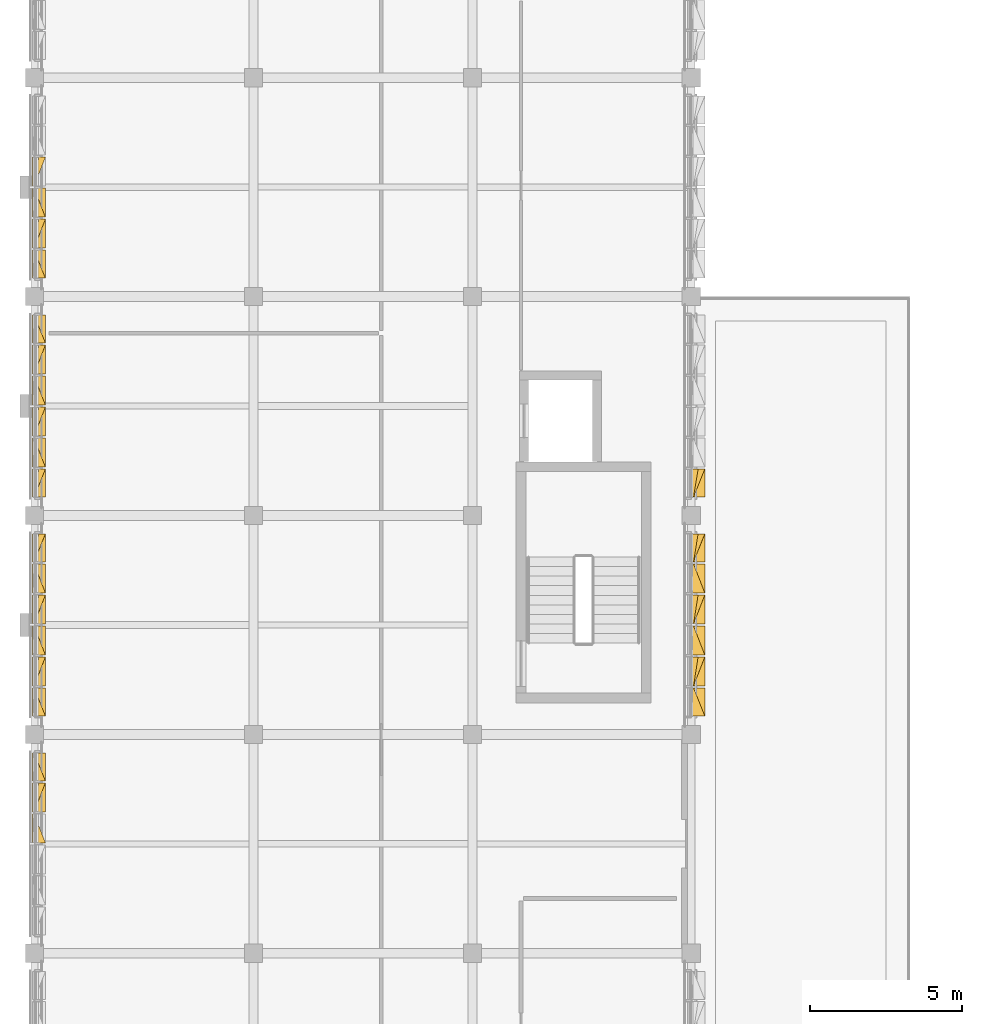
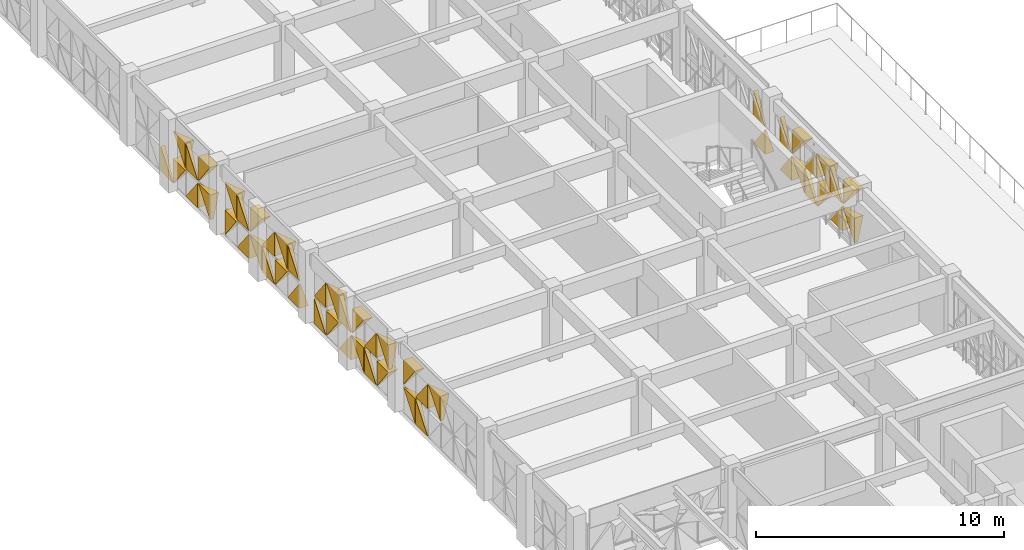
# One storey, part 96 of 99: 50 coverings.
"""IFC4 building model written with IfcOpenShell, lengths in metres."""

import ifcopenshell
import ifcopenshell.guid

model = None  # the IFC model being written
_history = None  # IfcOwnerHistory: only IFC2X3 demands one
_inside = {}  # id of a spatial element -> (the spatial element, [elements in it])
_under = {}  # id of a project, library or spatial element -> (it, [spatial elements below it])
_declared = {}  # id of a project -> (the project, [libraries it declares])
_typed = {}  # id of a type object -> (the type object, [elements of that type])
_made_of = {}  # id of a material, layer set ... -> (it, [elements and type objects made of it])


def new_model(schema):
    """Start an empty IFC model of exactly this schema.

    Asked for "IFC4X3", IfcOpenShell would pick the latest addendum, in which some entities
    have other attributes; the version numbers below select the first issue.
    IFC2X3 requires an IfcOwnerHistory on every rooted entity: one is made here for all.
    """
    global model, _history
    if schema == "IFC4X3":
        model = ifcopenshell.file(schema_version=(4, 3, 0, 0))
    else:
        model = ifcopenshell.file(schema=schema)
    _inside.clear()
    _under.clear()
    _declared.clear()
    _typed.clear()
    _made_of.clear()
    _history = None
    if model.schema == "IFC2X3":
        org = make("IfcOrganization", Name="unknown")
        user = make(
            "IfcPersonAndOrganization",
            ThePerson=make("IfcPerson", FamilyName="unknown"),
            TheOrganization=org,
        )
        app = make(
            "IfcApplication",
            ApplicationDeveloper=org,
            Version="unknown",
            ApplicationFullName="unknown",
            ApplicationIdentifier="unknown",
        )
        _history = make(
            "IfcOwnerHistory",
            OwningUser=user,
            OwningApplication=app,
            ChangeAction="ADDED",
            CreationDate=0,
        )
    return model


def make(cls, **values):
    """One entity of the class cls with the attributes given. An attribute that is None is left unset."""
    return model.create_entity(
        cls, **{name: value for name, value in values.items() if value is not None}
    )


def rooted(cls, **values):
    """An entity with a GlobalId (a new one), such as an element, a storey or a relation."""
    return make(cls, GlobalId=ifcopenshell.guid.new(), OwnerHistory=_history, **values)


def si_unit(unit_type, name, prefix=None):
    """IfcSIUnit, for example si_unit("LENGTHUNIT", "METRE", prefix="MILLI")."""
    return make("IfcSIUnit", UnitType=unit_type, Prefix=prefix, Name=name)


def assignment(units):
    """IfcUnitAssignment: the units of a project."""
    return None if units is None else make("IfcUnitAssignment", Units=units)


def point(xyz):
    """IfcCartesianPoint."""
    return None if xyz is None else make("IfcCartesianPoint", Coordinates=xyz)


def direction(xyz):
    """IfcDirection."""
    return None if xyz is None else make("IfcDirection", DirectionRatios=xyz)


def frame(location, z_axis=None, x_axis=None):
    """IfcAxis2Placement3D, a coordinate frame: its origin and axes. An axis left out is left unset."""
    return make(
        "IfcAxis2Placement3D",
        Location=point(location),
        Axis=direction(z_axis),
        RefDirection=direction(x_axis),
    )


def origin():
    """The frame at (0, 0, 0) with its axes left unset."""
    return frame((0.0, 0.0, 0.0))


def place(relative_to, where):
    """IfcLocalPlacement: puts the frame where relative to a parent placement (None: the world)."""
    return make(
        "IfcLocalPlacement", PlacementRelTo=relative_to, RelativePlacement=where
    )


def context(
    kind, dimensions, precision=None, world=None, true_north=None, identifier=None
):
    """IfcGeometricRepresentationContext, for example the 3D "Model" context."""
    return make(
        "IfcGeometricRepresentationContext",
        ContextIdentifier=identifier,
        ContextType=kind,
        CoordinateSpaceDimension=dimensions,
        Precision=precision,
        WorldCoordinateSystem=world,
        TrueNorth=true_north,
    )


def subcontext(parent, identifier, kind, view, scale=None):
    """IfcGeometricRepresentationSubContext, for example "Body" below "Model"."""
    return make(
        "IfcGeometricRepresentationSubContext",
        ContextIdentifier=identifier,
        ContextType=kind,
        ParentContext=parent,
        TargetScale=scale,
        TargetView=view,
    )


def project(units=None, contexts=None):
    """IfcProject with its units and contexts."""
    return rooted(
        "IfcProject",
        Name="project",
        RepresentationContexts=contexts,
        UnitsInContext=assignment(units),
    )


def spatial(cls, under=None, at=None, **own):
    """A site, building, storey or space (cls), placed at a placement, below another one or the project."""
    s = rooted(cls, ObjectPlacement=at, **own)
    if under is not None:
        _under.setdefault(under.id(), (under, []))[1].append(s)
    return s


def point_list(points):
    """IfcCartesianPointList2D or 3D."""
    cls = (
        "IfcCartesianPointList2D" if len(points[0]) == 2 else "IfcCartesianPointList3D"
    )
    return make(cls, CoordList=points)


def polygons(points, faces, closed=None, point_numbers=None):
    """IfcPolygonalFaceSet: a face is its outer loop, then its inner loops; points numbered from 1."""
    made = []
    for loops in faces:
        if len(loops) == 1:
            made.append(make("IfcIndexedPolygonalFace", CoordIndex=loops[0]))
        else:
            made.append(
                make(
                    "IfcIndexedPolygonalFaceWithVoids",
                    CoordIndex=loops[0],
                    InnerCoordIndices=loops[1:],
                )
            )
    return make(
        "IfcPolygonalFaceSet",
        Coordinates=point_list(points),
        Closed=closed,
        Faces=made,
        PnIndex=point_numbers,
    )


def shape(context_of_items, identifier, shape_type, items):
    """IfcShapeRepresentation: the items that make up one representation, for example the "Body"."""
    return make(
        "IfcShapeRepresentation",
        ContextOfItems=context_of_items,
        RepresentationIdentifier=identifier,
        RepresentationType=shape_type,
        Items=items,
    )


def material(Name=None, Category=None):
    """IfcMaterial."""
    return make("IfcMaterial", Name=Name, Category=Category)


def layer(
    of_material, thickness, ventilated=None, Name=None, Category=None, Priority=None
):
    """IfcMaterialLayer: one layer of a wall or slab, of a material (None: an air gap)."""
    return make(
        "IfcMaterialLayer",
        Material=of_material,
        LayerThickness=thickness,
        IsVentilated=ventilated,
        Name=Name,
        Category=Category,
        Priority=Priority,
    )


def layer_set(layers, Name=None):
    """IfcMaterialLayerSet."""
    return make("IfcMaterialLayerSet", MaterialLayers=layers, LayerSetName=Name)


def made_of(thing, what):
    """Note that an element or type object is made of a material, layer set ...; save() writes the relation."""
    if what is not None:
        _made_of.setdefault(what.id(), (what, []))[1].append(thing)
    return thing


def type_object(cls, material=None, **own):
    """A type object (cls), such as IfcWallType, which elements share."""
    return made_of(rooted(cls, **own), material)


def element(
    cls,
    number,
    at=None,
    inside=None,
    cuts=None,
    type_object=None,
    material=None,
    context=None,
    identifier="Body",
    shape_type=None,
    held_by="IfcProductDefinitionShape",
    body=None,
    shapes=None,
    **own,
):
    """One element of the class cls, such as IfcWall. Its Tag is "e" and its number.

    at: its placement. inside: the storey or other place that contains it. cuts: it is an
    opening in that element (IfcRelVoidsElement). A single representation is given by context,
    identifier, shape_type and body (its items); several are given by shapes. held_by: the class
    of the entity that holds the representations. save() writes the other relations.
    """
    e = rooted(cls, Tag="e%d" % number, ObjectPlacement=at, **own)
    if body is not None:
        shapes = [shape(context, identifier, shape_type, body)]
    if shapes is not None:
        e.Representation = make(held_by, Representations=shapes)
    if inside is not None:
        _inside.setdefault(inside.id(), (inside, []))[1].append(e)
    if cuts is not None:
        rooted(
            "IfcRelVoidsElement", RelatingBuildingElement=cuts, RelatedOpeningElement=e
        )
    if type_object is not None:
        _typed.setdefault(type_object.id(), (type_object, []))[1].append(e)
    return made_of(e, material)


def aggregate(whole, parts):
    """IfcRelAggregates: a whole, such as a stair, and the parts it consists of."""
    return rooted("IfcRelAggregates", RelatingObject=whole, RelatedObjects=parts)


def save(model, path):
    """Write the relations noted so far, then the file.

    IfcRelAggregates (storeys below a building ...), IfcRelContainedInSpatialStructure (elements
    in a storey), IfcRelDefinesByType, IfcRelAssociatesMaterial and IfcRelDeclares: one each for
    every whole, place, type object, material and project.
    """
    for whole, parts in _under.values():
        aggregate(whole, parts)
    for where, things in _inside.values():
        rooted(
            "IfcRelContainedInSpatialStructure",
            RelatedElements=things,
            RelatingStructure=where,
        )
    for kind, things in _typed.values():
        rooted("IfcRelDefinesByType", RelatedObjects=things, RelatingType=kind)
    for what, things in _made_of.values():
        rooted("IfcRelAssociatesMaterial", RelatedObjects=things, RelatingMaterial=what)
    for by, libraries in _declared.values():
        rooted("IfcRelDeclares", RelatingContext=by, RelatedDefinitions=libraries)
    model.write(path)


model = new_model("IFC4")

# Units and contexts
model_context = context("Model", 3, precision=1e-05, world=origin(), true_north=direction((0.0, 1.0)))
body_context = subcontext(model_context, "Body", "Model", "MODEL_VIEW")
ifc_project = project(units=[si_unit("LENGTHUNIT", "METRE"), si_unit("AREAUNIT", "SQUARE_METRE"), si_unit("VOLUMEUNIT", "CUBIC_METRE"), si_unit("PLANEANGLEUNIT", "RADIAN"), si_unit("MASSUNIT", "GRAM", prefix="KILO")], contexts=[model_context])

# Site, building, storey
site_placement = place(None, origin())
site = spatial("IfcSite", under=ifc_project, at=site_placement, CompositionType="ELEMENT")
building_placement = place(site_placement, origin())
building = spatial("IfcBuilding", under=site, at=building_placement, Name="Alvorim Cloister Faculty of Sciences", CompositionType="ELEMENT")
storey_placement = place(building_placement, frame((0.0, 0.0, 12.14990234375)))
storey = spatial("IfcBuildingStorey", under=building, at=storey_placement, Name="L03", CompositionType="ELEMENT", Elevation=12.14990234375)

# Coverings
ifc_material = material(Name="Perforated Bronze Alloy Sheet", Category="metal")
ifc_layer = layer(ifc_material, 0.0380859375)
ifc_layer_set = layer_set([ifc_layer], Name="Perforated Bronze Alloy Sheet")
covering_type = type_object("IfcCoveringType", Name="COV-TRI-BRZ", PredefinedType="CLADDING", material=ifc_layer_set)
covering_1_placement = place(storey_placement, frame((-0.044921875, 67.232421875, 1.4951171875), z_axis=(0.0, 0.0, 1.0), x_axis=(0.0, 1.0, 0.0)))
element("IfcCovering", 1, at=covering_1_placement, inside=storey, type_object=covering_type, Name="Diagonal Solid Metal Triangle TRI-TL", PredefinedType="CLADDING", context=body_context, shape_type="Tessellation", body=[
    polygons([(0.953078125, 0.0260009765625, 1.215087890625), (0.0, 0.0260009765625, 1.215087890625), (0.0, 0.0260009765625, 0.002), (0.953078125, -0.03, 1.215087890625), (0.0, -0.4, 1.215087890625), (0.0, -0.13999999999999999, 0.002)], [[[1, 3, 2]], [[4, 5, 6]], [[1, 2, 5, 4]], [[2, 3, 6, 5]], [[3, 1, 4, 6]]], closed=True),
])
covering_2_placement = place(storey_placement, frame((-0.044921875, 68.25244140625, 0.14013671875), z_axis=(0.0, 0.0, 1.0), x_axis=(0.0, 1.0, 0.0)))
element("IfcCovering", 2, at=covering_2_placement, inside=storey, type_object=covering_type, Name="Diagonal Solid Metal Triangle TRI-BR", PredefinedType="CLADDING", context=body_context, shape_type="Tessellation", body=[
    polygons([(0.002, 0.0260009765625, 0.0), (0.955078125, 0.0260009765625, 0.0), (0.955078125, 0.0260009765625, 1.21284375), (0.002, -0.03, 0.0), (0.955078125, -0.4, 0.0), (0.955078125, -0.18000000000000002, 1.21284375)], [[[1, 3, 2]], [[4, 5, 6]], [[1, 2, 5, 4]], [[2, 3, 6, 5]], [[3, 1, 4, 6]]], closed=True),
])
covering_3_placement = place(storey_placement, frame((-0.044921875, 68.25244140625, 1.4951171875), z_axis=(0.0, 0.0, 1.0), x_axis=(0.0, 1.0, 0.0)))
element("IfcCovering", 3, at=covering_3_placement, inside=storey, type_object=covering_type, Name="Diagonal Solid Metal Triangle TRI-BL", PredefinedType="CLADDING", context=body_context, shape_type="Tessellation", body=[
    polygons([(0.0, 0.0260009765625, 0.0), (0.953078125, 0.0260009765625, 0.0), (0.0, 0.0260009765625, 1.213087890625), (0.0, -0.4, 0.0), (0.953078125, -0.4, 0.0), (0.0, -0.03, 1.213087890625)], [[[1, 3, 2]], [[4, 5, 6]], [[1, 2, 5, 4]], [[2, 3, 6, 5]], [[3, 1, 4, 6]]], closed=True),
])
covering_4_placement = place(storey_placement, frame((-0.044921875, 69.2724609375, 0.14013671875), z_axis=(0.0, 0.0, 1.0), x_axis=(0.0, 1.0, 0.0)))
element("IfcCovering", 4, at=covering_4_placement, inside=storey, type_object=covering_type, Name="Diagonal Solid Metal Triangle TRI-TL", PredefinedType="CLADDING", context=body_context, shape_type="Tessellation", body=[
    polygons([(0.920607421875, 0.0260009765625, 1.21484375), (0.0, 0.0260009765625, 1.21484375), (0.0, 0.0260009765625, 0.002), (0.920607421875, -0.03, 1.21484375), (0.0, -0.4, 1.21484375), (0.0, -0.13999999999999999, 0.002)], [[[1, 3, 2]], [[4, 5, 6]], [[1, 2, 5, 4]], [[2, 3, 6, 5]], [[3, 1, 4, 6]]], closed=True),
])
covering_5_placement = place(storey_placement, frame((-0.044921875, 69.2724609375, 1.4951171875), z_axis=(0.0, 0.0, 1.0), x_axis=(0.0, 1.0, 0.0)))
element("IfcCovering", 5, at=covering_5_placement, inside=storey, type_object=covering_type, Name="Diagonal Solid Metal Triangle TRI-TR", PredefinedType="CLADDING", context=body_context, shape_type="Tessellation", body=[
    polygons([(0.922607421875, 0.0260009765625, 0.002), (0.922607421875, 0.0260009765625, 1.215087890625), (0.002, 0.0260009765625, 1.215087890625), (0.922607421875, -0.03, 0.002), (0.922607421875, -0.4, 1.215087890625), (0.002, -0.4, 1.215087890625)], [[[1, 3, 2]], [[4, 5, 6]], [[1, 2, 5, 4]], [[2, 3, 6, 5]], [[3, 1, 4, 6]]], closed=True),
])
covering_6_placement = place(storey_placement, frame((-0.044921875, 71.405029296875, 0.14013671875), z_axis=(0.0, 0.0, 1.0), x_axis=(0.0, 1.0, 0.0)))
element("IfcCovering", 6, at=covering_6_placement, inside=storey, type_object=covering_type, Name="Diagonal Solid Metal Triangle TRI-TR", PredefinedType="CLADDING", context=body_context, shape_type="Tessellation", body=[
    polygons([(0.922607421875, 0.0260009765625, 0.002), (0.922607421875, 0.0260009765625, 1.21484375), (0.002, 0.0260009765625, 1.21484375), (0.922607421875, -0.03, 0.002), (0.922607421875, -0.4, 1.21484375), (0.002, -0.4, 1.21484375)], [[[1, 3, 2]], [[4, 5, 6]], [[1, 2, 5, 4]], [[2, 3, 6, 5]], [[3, 1, 4, 6]]], closed=True),
])
covering_7_placement = place(storey_placement, frame((-0.044921875, 71.405029296875, 1.4951171875), z_axis=(0.0, 0.0, 1.0), x_axis=(0.0, 1.0, 0.0)))
element("IfcCovering", 7, at=covering_7_placement, inside=storey, type_object=covering_type, Name="Diagonal Solid Metal Triangle TRI-TL", PredefinedType="CLADDING", context=body_context, shape_type="Tessellation", body=[
    polygons([(0.920607421875, 0.0260009765625, 1.215087890625), (0.0, 0.0260009765625, 1.215087890625), (0.0, 0.0260009765625, 0.002), (0.920607421875, -0.03, 1.215087890625), (0.0, -0.4, 1.215087890625), (0.0, -0.13999999999999999, 0.002)], [[[1, 3, 2]], [[4, 5, 6]], [[1, 2, 5, 4]], [[2, 3, 6, 5]], [[3, 1, 4, 6]]], closed=True),
])
covering_8_placement = place(storey_placement, frame((-0.044921875, 72.392578125, 0.14013671875), z_axis=(0.0, 0.0, 1.0), x_axis=(0.0, 1.0, 0.0)))
element("IfcCovering", 8, at=covering_8_placement, inside=storey, type_object=covering_type, Name="Diagonal Solid Metal Triangle TRI-BR", PredefinedType="CLADDING", context=body_context, shape_type="Tessellation", body=[
    polygons([(0.002, 0.0260009765625, 0.0), (0.955078125, 0.0260009765625, 0.0), (0.955078125, 0.0260009765625, 1.21284375), (0.002, -0.03, 0.0), (0.955078125, -0.4, 0.0), (0.955078125, -0.18000000000000002, 1.21284375)], [[[1, 3, 2]], [[4, 5, 6]], [[1, 2, 5, 4]], [[2, 3, 6, 5]], [[3, 1, 4, 6]]], closed=True),
])
covering_9_placement = place(storey_placement, frame((-0.044921875, 72.392578125, 1.4951171875), z_axis=(0.0, 0.0, 1.0), x_axis=(0.0, 1.0, 0.0)))
element("IfcCovering", 9, at=covering_9_placement, inside=storey, type_object=covering_type, Name="Diagonal Solid Metal Triangle TRI-BL", PredefinedType="CLADDING", context=body_context, shape_type="Tessellation", body=[
    polygons([(0.0, 0.0260009765625, 0.0), (0.953078125, 0.0260009765625, 0.0), (0.0, 0.0260009765625, 1.213087890625), (0.0, -0.4, 0.0), (0.953078125, -0.4, 0.0), (0.0, -0.03, 1.213087890625)], [[[1, 3, 2]], [[4, 5, 6]], [[1, 2, 5, 4]], [[2, 3, 6, 5]], [[3, 1, 4, 6]]], closed=True),
])
covering_10_placement = place(storey_placement, frame((-0.044921875, 73.41259765625, 0.14013671875), z_axis=(0.0, 0.0, 1.0), x_axis=(0.0, 1.0, 0.0)))
element("IfcCovering", 10, at=covering_10_placement, inside=storey, type_object=covering_type, Name="Diagonal Solid Metal Triangle TRI-TL", PredefinedType="CLADDING", context=body_context, shape_type="Tessellation", body=[
    polygons([(0.953078125, 0.0260009765625, 1.21484375), (0.0, 0.0260009765625, 1.21484375), (0.0, 0.0260009765625, 0.002), (0.953078125, -0.03, 1.21484375), (0.0, -0.4, 1.21484375), (0.0, -0.13999999999999999, 0.002)], [[[1, 3, 2]], [[4, 5, 6]], [[1, 2, 5, 4]], [[2, 3, 6, 5]], [[3, 1, 4, 6]]], closed=True),
])
covering_11_placement = place(storey_placement, frame((-0.044921875, 73.41259765625, 1.4951171875), z_axis=(0.0, 0.0, 1.0), x_axis=(0.0, 1.0, 0.0)))
element("IfcCovering", 11, at=covering_11_placement, inside=storey, type_object=covering_type, Name="Diagonal Solid Metal Triangle TRI-TR", PredefinedType="CLADDING", context=body_context, shape_type="Tessellation", body=[
    polygons([(0.955078125, 0.0260009765625, 0.002), (0.955078125, 0.0260009765625, 1.215087890625), (0.002, 0.0260009765625, 1.215087890625), (0.955078125, -0.03, 0.002), (0.955078125, -0.4, 1.215087890625), (0.002, -0.4, 1.215087890625)], [[[1, 3, 2]], [[4, 5, 6]], [[1, 2, 5, 4]], [[2, 3, 6, 5]], [[3, 1, 4, 6]]], closed=True),
])
covering_12_placement = place(storey_placement, frame((-0.044921875, 74.4326171875, 0.14013671875), z_axis=(0.0, 0.0, 1.0), x_axis=(0.0, 1.0, 0.0)))
element("IfcCovering", 12, at=covering_12_placement, inside=storey, type_object=covering_type, Name="Diagonal Solid Metal Triangle TRI-BL", PredefinedType="CLADDING", context=body_context, shape_type="Tessellation", body=[
    polygons([(0.0, 0.0260009765625, 0.0), (0.953078125, 0.0260009765625, 0.0), (0.0, 0.0260009765625, 1.21284375), (0.0, -0.4, 0.0), (0.953078125, -0.4, 0.0), (0.0, -0.03, 1.21284375)], [[[1, 3, 2]], [[4, 5, 6]], [[1, 2, 5, 4]], [[2, 3, 6, 5]], [[3, 1, 4, 6]]], closed=True),
])
covering_13_placement = place(storey_placement, frame((-0.044921875, 74.4326171875, 1.4951171875), z_axis=(0.0, 0.0, 1.0), x_axis=(0.0, 1.0, 0.0)))
element("IfcCovering", 13, at=covering_13_placement, inside=storey, type_object=covering_type, Name="Diagonal Solid Metal Triangle TRI-BR", PredefinedType="CLADDING", context=body_context, shape_type="Tessellation", body=[
    polygons([(0.002, 0.0260009765625, 0.0), (0.955078125, 0.0260009765625, 0.0), (0.955078125, 0.0260009765625, 1.213087890625), (0.002, -0.03, 0.0), (0.955078125, -0.4, 0.0), (0.955078125, -0.18000000000000002, 1.213087890625)], [[[1, 3, 2]], [[4, 5, 6]], [[1, 2, 5, 4]], [[2, 3, 6, 5]], [[3, 1, 4, 6]]], closed=True),
])
covering_14_placement = place(storey_placement, frame((-0.044921875, 75.452392578125, 0.14013671875), z_axis=(0.0, 0.0, 1.0), x_axis=(0.0, 1.0, 0.0)))
element("IfcCovering", 14, at=covering_14_placement, inside=storey, type_object=covering_type, Name="Diagonal Solid Metal Triangle TRI-TR", PredefinedType="CLADDING", context=body_context, shape_type="Tessellation", body=[
    polygons([(0.955078125, 0.0260009765625, 0.002), (0.955078125, 0.0260009765625, 1.21484375), (0.002, 0.0260009765625, 1.21484375), (0.955078125, -0.03, 0.002), (0.955078125, -0.4, 1.21484375), (0.002, -0.4, 1.21484375)], [[[1, 3, 2]], [[4, 5, 6]], [[1, 2, 5, 4]], [[2, 3, 6, 5]], [[3, 1, 4, 6]]], closed=True),
])
covering_15_placement = place(storey_placement, frame((-0.044921875, 75.452392578125, 1.4951171875), z_axis=(0.0, 0.0, 1.0), x_axis=(0.0, 1.0, 0.0)))
element("IfcCovering", 15, at=covering_15_placement, inside=storey, type_object=covering_type, Name="Diagonal Solid Metal Triangle TRI-TL", PredefinedType="CLADDING", context=body_context, shape_type="Tessellation", body=[
    polygons([(0.953078125, 0.0260009765625, 1.215087890625), (0.0, 0.0260009765625, 1.215087890625), (0.0, 0.0260009765625, 0.002), (0.953078125, -0.03, 1.215087890625), (0.0, -0.4, 1.215087890625), (0.0, -0.13999999999999999, 0.002)], [[[1, 3, 2]], [[4, 5, 6]], [[1, 2, 5, 4]], [[2, 3, 6, 5]], [[3, 1, 4, 6]]], closed=True),
])
covering_16_placement = place(storey_placement, frame((-0.044921875, 76.472412109375, 0.14013671875), z_axis=(0.0, 0.0, 1.0), x_axis=(0.0, 1.0, 0.0)))
element("IfcCovering", 16, at=covering_16_placement, inside=storey, type_object=covering_type, Name="Diagonal Solid Metal Triangle TRI-BR", PredefinedType="CLADDING", context=body_context, shape_type="Tessellation", body=[
    polygons([(0.002, 0.0260009765625, 0.0), (0.922607421875, 0.0260009765625, 0.0), (0.922607421875, 0.0260009765625, 1.21284375), (0.002, -0.03, 0.0), (0.922607421875, -0.4, 0.0), (0.922607421875, -0.18000000000000002, 1.21284375)], [[[1, 3, 2]], [[4, 5, 6]], [[1, 2, 5, 4]], [[2, 3, 6, 5]], [[3, 1, 4, 6]]], closed=True),
])
covering_17_placement = place(storey_placement, frame((-0.044921875, 76.472412109375, 1.4951171875), z_axis=(0.0, 0.0, 1.0), x_axis=(0.0, 1.0, 0.0)))
element("IfcCovering", 17, at=covering_17_placement, inside=storey, type_object=covering_type, Name="Diagonal Solid Metal Triangle TRI-BL", PredefinedType="CLADDING", context=body_context, shape_type="Tessellation", body=[
    polygons([(0.0, 0.0260009765625, 0.0), (0.920607421875, 0.0260009765625, 0.0), (0.0, 0.0260009765625, 1.213087890625), (0.0, -0.4, 0.0), (0.920607421875, -0.4, 0.0), (0.0, -0.03, 1.213087890625)], [[[1, 3, 2]], [[4, 5, 6]], [[1, 2, 5, 4]], [[2, 3, 6, 5]], [[3, 1, 4, 6]]], closed=True),
])
covering_18_placement = place(storey_placement, frame((-0.044921875, 78.60498046875, 0.14013671875), z_axis=(0.0, 0.0, 1.0), x_axis=(0.0, 1.0, 0.0)))
element("IfcCovering", 18, at=covering_18_placement, inside=storey, type_object=covering_type, Name="Diagonal Solid Metal Triangle TRI-BL", PredefinedType="CLADDING", context=body_context, shape_type="Tessellation", body=[
    polygons([(0.0, 0.0260009765625, 0.0), (0.920607421875, 0.0260009765625, 0.0), (0.0, 0.0260009765625, 1.21284375), (0.0, -0.4, 0.0), (0.920607421875, -0.4, 0.0), (0.0, -0.03, 1.21284375)], [[[1, 3, 2]], [[4, 5, 6]], [[1, 2, 5, 4]], [[2, 3, 6, 5]], [[3, 1, 4, 6]]], closed=True),
])
covering_19_placement = place(storey_placement, frame((-0.044921875, 78.60498046875, 1.4951171875), z_axis=(0.0, 0.0, 1.0), x_axis=(0.0, 1.0, 0.0)))
element("IfcCovering", 19, at=covering_19_placement, inside=storey, type_object=covering_type, Name="Diagonal Solid Metal Triangle TRI-BR", PredefinedType="CLADDING", context=body_context, shape_type="Tessellation", body=[
    polygons([(0.002, 0.0260009765625, 0.0), (0.922607421875, 0.0260009765625, 0.0), (0.922607421875, 0.0260009765625, 1.213087890625), (0.002, -0.03, 0.0), (0.922607421875, -0.4, 0.0), (0.922607421875, -0.18000000000000002, 1.213087890625)], [[[1, 3, 2]], [[4, 5, 6]], [[1, 2, 5, 4]], [[2, 3, 6, 5]], [[3, 1, 4, 6]]], closed=True),
])
covering_20_placement = place(storey_placement, frame((-0.044921875, 79.592529296875, 0.14013671875), z_axis=(0.0, 0.0, 1.0), x_axis=(0.0, 1.0, 0.0)))
element("IfcCovering", 20, at=covering_20_placement, inside=storey, type_object=covering_type, Name="Diagonal Solid Metal Triangle TRI-TR", PredefinedType="CLADDING", context=body_context, shape_type="Tessellation", body=[
    polygons([(0.955078125, 0.0260009765625, 0.002), (0.955078125, 0.0260009765625, 1.21484375), (0.002, 0.0260009765625, 1.21484375), (0.955078125, -0.03, 0.002), (0.955078125, -0.4, 1.21484375), (0.002, -0.4, 1.21484375)], [[[1, 3, 2]], [[4, 5, 6]], [[1, 2, 5, 4]], [[2, 3, 6, 5]], [[3, 1, 4, 6]]], closed=True),
])
covering_21_placement = place(storey_placement, frame((-0.044921875, 79.592529296875, 1.4951171875), z_axis=(0.0, 0.0, 1.0), x_axis=(0.0, 1.0, 0.0)))
element("IfcCovering", 21, at=covering_21_placement, inside=storey, type_object=covering_type, Name="Diagonal Solid Metal Triangle TRI-TL", PredefinedType="CLADDING", context=body_context, shape_type="Tessellation", body=[
    polygons([(0.953078125, 0.0260009765625, 1.215087890625), (0.0, 0.0260009765625, 1.215087890625), (0.0, 0.0260009765625, 0.002), (0.953078125, -0.03, 1.215087890625), (0.0, -0.4, 1.215087890625), (0.0, -0.13999999999999999, 0.002)], [[[1, 3, 2]], [[4, 5, 6]], [[1, 2, 5, 4]], [[2, 3, 6, 5]], [[3, 1, 4, 6]]], closed=True),
])
covering_22_placement = place(storey_placement, frame((-0.044921875, 80.612548828125, 0.14013671875), z_axis=(0.0, 0.0, 1.0), x_axis=(0.0, 1.0, 0.0)))
element("IfcCovering", 22, at=covering_22_placement, inside=storey, type_object=covering_type, Name="Diagonal Solid Metal Triangle TRI-BR", PredefinedType="CLADDING", context=body_context, shape_type="Tessellation", body=[
    polygons([(0.002, 0.0260009765625, 0.0), (0.955078125, 0.0260009765625, 0.0), (0.955078125, 0.0260009765625, 1.21284375), (0.002, -0.03, 0.0), (0.955078125, -0.4, 0.0), (0.955078125, -0.18000000000000002, 1.21284375)], [[[1, 3, 2]], [[4, 5, 6]], [[1, 2, 5, 4]], [[2, 3, 6, 5]], [[3, 1, 4, 6]]], closed=True),
])
covering_23_placement = place(storey_placement, frame((-0.044921875, 80.612548828125, 1.4951171875), z_axis=(0.0, 0.0, 1.0), x_axis=(0.0, 1.0, 0.0)))
element("IfcCovering", 23, at=covering_23_placement, inside=storey, type_object=covering_type, Name="Diagonal Solid Metal Triangle TRI-BL", PredefinedType="CLADDING", context=body_context, shape_type="Tessellation", body=[
    polygons([(0.0, 0.0260009765625, 0.0), (0.953078125, 0.0260009765625, 0.0), (0.0, 0.0260009765625, 1.213087890625), (0.0, -0.4, 0.0), (0.953078125, -0.4, 0.0), (0.0, -0.03, 1.213087890625)], [[[1, 3, 2]], [[4, 5, 6]], [[1, 2, 5, 4]], [[2, 3, 6, 5]], [[3, 1, 4, 6]]], closed=True),
])
covering_24_placement = place(storey_placement, frame((-0.044921875, 81.632568359375, 0.14013671875), z_axis=(0.0, 0.0, 1.0), x_axis=(0.0, 1.0, 0.0)))
element("IfcCovering", 24, at=covering_24_placement, inside=storey, type_object=covering_type, Name="Diagonal Solid Metal Triangle TRI-TL", PredefinedType="CLADDING", context=body_context, shape_type="Tessellation", body=[
    polygons([(0.953078125, 0.0260009765625, 1.21484375), (0.0, 0.0260009765625, 1.21484375), (0.0, 0.0260009765625, 0.002), (0.953078125, -0.03, 1.21484375), (0.0, -0.4, 1.21484375), (0.0, -0.13999999999999999, 0.002)], [[[1, 3, 2]], [[4, 5, 6]], [[1, 2, 5, 4]], [[2, 3, 6, 5]], [[3, 1, 4, 6]]], closed=True),
])
covering_25_placement = place(storey_placement, frame((-0.044921875, 81.632568359375, 1.4951171875), z_axis=(0.0, 0.0, 1.0), x_axis=(0.0, 1.0, 0.0)))
element("IfcCovering", 25, at=covering_25_placement, inside=storey, type_object=covering_type, Name="Diagonal Solid Metal Triangle TRI-TR", PredefinedType="CLADDING", context=body_context, shape_type="Tessellation", body=[
    polygons([(0.955078125, 0.0260009765625, 0.002), (0.955078125, 0.0260009765625, 1.215087890625), (0.002, 0.0260009765625, 1.215087890625), (0.955078125, -0.03, 0.002), (0.955078125, -0.4, 1.215087890625), (0.002, -0.4, 1.215087890625)], [[[1, 3, 2]], [[4, 5, 6]], [[1, 2, 5, 4]], [[2, 3, 6, 5]], [[3, 1, 4, 6]]], closed=True),
])
covering_26_placement = place(storey_placement, frame((-0.044921875, 82.652587890625, 0.14013671875), z_axis=(0.0, 0.0, 1.0), x_axis=(0.0, 1.0, 0.0)))
element("IfcCovering", 26, at=covering_26_placement, inside=storey, type_object=covering_type, Name="Diagonal Solid Metal Triangle TRI-BL", PredefinedType="CLADDING", context=body_context, shape_type="Tessellation", body=[
    polygons([(0.0, 0.0260009765625, 0.0), (0.953078125, 0.0260009765625, 0.0), (0.0, 0.0260009765625, 1.21284375), (0.0, -0.4, 0.0), (0.953078125, -0.4, 0.0), (0.0, -0.03, 1.21284375)], [[[1, 3, 2]], [[4, 5, 6]], [[1, 2, 5, 4]], [[2, 3, 6, 5]], [[3, 1, 4, 6]]], closed=True),
])
covering_27_placement = place(storey_placement, frame((-0.044921875, 82.652587890625, 1.4951171875), z_axis=(0.0, 0.0, 1.0), x_axis=(0.0, 1.0, 0.0)))
element("IfcCovering", 27, at=covering_27_placement, inside=storey, type_object=covering_type, Name="Diagonal Solid Metal Triangle TRI-BR", PredefinedType="CLADDING", context=body_context, shape_type="Tessellation", body=[
    polygons([(0.002, 0.0260009765625, 0.0), (0.955078125, 0.0260009765625, 0.0), (0.955078125, 0.0260009765625, 1.213087890625), (0.002, -0.03, 0.0), (0.955078125, -0.4, 0.0), (0.955078125, -0.18000000000000002, 1.213087890625)], [[[1, 3, 2]], [[4, 5, 6]], [[1, 2, 5, 4]], [[2, 3, 6, 5]], [[3, 1, 4, 6]]], closed=True),
])
covering_28_placement = place(storey_placement, frame((-0.044921875, 83.672607421875, 0.14013671875), z_axis=(0.0, 0.0, 1.0), x_axis=(0.0, 1.0, 0.0)))
element("IfcCovering", 28, at=covering_28_placement, inside=storey, type_object=covering_type, Name="Diagonal Solid Metal Triangle TRI-TR", PredefinedType="CLADDING", context=body_context, shape_type="Tessellation", body=[
    polygons([(0.922607421875, 0.0260009765625, 0.002), (0.922607421875, 0.0260009765625, 1.21484375), (0.002, 0.0260009765625, 1.21484375), (0.922607421875, -0.03, 0.002), (0.922607421875, -0.4, 1.21484375), (0.002, -0.4, 1.21484375)], [[[1, 3, 2]], [[4, 5, 6]], [[1, 2, 5, 4]], [[2, 3, 6, 5]], [[3, 1, 4, 6]]], closed=True),
])
covering_29_placement = place(storey_placement, frame((-0.044921875, 83.672607421875, 1.4951171875), z_axis=(0.0, 0.0, 1.0), x_axis=(0.0, 1.0, 0.0)))
element("IfcCovering", 29, at=covering_29_placement, inside=storey, type_object=covering_type, Name="Diagonal Solid Metal Triangle TRI-TL", PredefinedType="CLADDING", context=body_context, shape_type="Tessellation", body=[
    polygons([(0.920607421875, 0.0260009765625, 1.215087890625), (0.0, 0.0260009765625, 1.215087890625), (0.0, 0.0260009765625, 0.002), (0.920607421875, -0.03, 1.215087890625), (0.0, -0.4, 1.215087890625), (0.0, -0.13999999999999999, 0.002)], [[[1, 3, 2]], [[4, 5, 6]], [[1, 2, 5, 4]], [[2, 3, 6, 5]], [[3, 1, 4, 6]]], closed=True),
])
covering_30_placement = place(storey_placement, frame((-0.044921875, 85.804931640625, 0.14013671875), z_axis=(0.0, 0.0, 1.0), x_axis=(0.0, 1.0, 0.0)))
element("IfcCovering", 30, at=covering_30_placement, inside=storey, type_object=covering_type, Name="Diagonal Solid Metal Triangle TRI-TL", PredefinedType="CLADDING", context=body_context, shape_type="Tessellation", body=[
    polygons([(0.920607421875, 0.0260009765625, 1.21484375), (0.0, 0.0260009765625, 1.21484375), (0.0, 0.0260009765625, 0.002), (0.920607421875, -0.03, 1.21484375), (0.0, -0.4, 1.21484375), (0.0, -0.13999999999999999, 0.002)], [[[1, 3, 2]], [[4, 5, 6]], [[1, 2, 5, 4]], [[2, 3, 6, 5]], [[3, 1, 4, 6]]], closed=True),
])
covering_31_placement = place(storey_placement, frame((-0.044921875, 85.804931640625, 1.4951171875), z_axis=(0.0, 0.0, 1.0), x_axis=(0.0, 1.0, 0.0)))
element("IfcCovering", 31, at=covering_31_placement, inside=storey, type_object=covering_type, Name="Diagonal Solid Metal Triangle TRI-TR", PredefinedType="CLADDING", context=body_context, shape_type="Tessellation", body=[
    polygons([(0.922607421875, 0.0260009765625, 0.002), (0.922607421875, 0.0260009765625, 1.215087890625), (0.002, 0.0260009765625, 1.215087890625), (0.922607421875, -0.03, 0.002), (0.922607421875, -0.4, 1.215087890625), (0.002, -0.4, 1.215087890625)], [[[1, 3, 2]], [[4, 5, 6]], [[1, 2, 5, 4]], [[2, 3, 6, 5]], [[3, 1, 4, 6]]], closed=True),
])
covering_32_placement = place(storey_placement, frame((-0.044921875, 86.79248046875, 0.14013671875), z_axis=(0.0, 0.0, 1.0), x_axis=(0.0, 1.0, 0.0)))
element("IfcCovering", 32, at=covering_32_placement, inside=storey, type_object=covering_type, Name="Diagonal Solid Metal Triangle TRI-BL", PredefinedType="CLADDING", context=body_context, shape_type="Tessellation", body=[
    polygons([(0.0, 0.0260009765625, 0.0), (0.953078125, 0.0260009765625, 0.0), (0.0, 0.0260009765625, 1.21284375), (0.0, -0.4, 0.0), (0.953078125, -0.4, 0.0), (0.0, -0.03, 1.21284375)], [[[1, 3, 2]], [[4, 5, 6]], [[1, 2, 5, 4]], [[2, 3, 6, 5]], [[3, 1, 4, 6]]], closed=True),
])
covering_33_placement = place(storey_placement, frame((-0.044921875, 86.79248046875, 1.4951171875), z_axis=(0.0, 0.0, 1.0), x_axis=(0.0, 1.0, 0.0)))
element("IfcCovering", 33, at=covering_33_placement, inside=storey, type_object=covering_type, Name="Diagonal Solid Metal Triangle TRI-BR", PredefinedType="CLADDING", context=body_context, shape_type="Tessellation", body=[
    polygons([(0.002, 0.0260009765625, 0.0), (0.955078125, 0.0260009765625, 0.0), (0.955078125, 0.0260009765625, 1.213087890625), (0.002, -0.03, 0.0), (0.955078125, -0.4, 0.0), (0.955078125, -0.18000000000000002, 1.213087890625)], [[[1, 3, 2]], [[4, 5, 6]], [[1, 2, 5, 4]], [[2, 3, 6, 5]], [[3, 1, 4, 6]]], closed=True),
])
covering_34_placement = place(storey_placement, frame((-0.044921875, 87.8125, 0.14013671875), z_axis=(0.0, 0.0, 1.0), x_axis=(0.0, 1.0, 0.0)))
element("IfcCovering", 34, at=covering_34_placement, inside=storey, type_object=covering_type, Name="Diagonal Solid Metal Triangle TRI-TR", PredefinedType="CLADDING", context=body_context, shape_type="Tessellation", body=[
    polygons([(0.955078125, 0.0260009765625, 0.002), (0.955078125, 0.0260009765625, 1.21484375), (0.002, 0.0260009765625, 1.21484375), (0.955078125, -0.03, 0.002), (0.955078125, -0.4, 1.21484375), (0.002, -0.4, 1.21484375)], [[[1, 3, 2]], [[4, 5, 6]], [[1, 2, 5, 4]], [[2, 3, 6, 5]], [[3, 1, 4, 6]]], closed=True),
])
covering_35_placement = place(storey_placement, frame((-0.044921875, 87.8125, 1.4951171875), z_axis=(0.0, 0.0, 1.0), x_axis=(0.0, 1.0, 0.0)))
element("IfcCovering", 35, at=covering_35_placement, inside=storey, type_object=covering_type, Name="Diagonal Solid Metal Triangle TRI-TL", PredefinedType="CLADDING", context=body_context, shape_type="Tessellation", body=[
    polygons([(0.953078125, 0.0260009765625, 1.215087890625), (0.0, 0.0260009765625, 1.215087890625), (0.0, 0.0260009765625, 0.002), (0.953078125, -0.03, 1.215087890625), (0.0, -0.4, 1.215087890625), (0.0, -0.13999999999999999, 0.002)], [[[1, 3, 2]], [[4, 5, 6]], [[1, 2, 5, 4]], [[2, 3, 6, 5]], [[3, 1, 4, 6]]], closed=True),
])
covering_36_placement = place(storey_placement, frame((-0.044921875, 88.83251953125, 0.14013671875), z_axis=(0.0, 0.0, 1.0), x_axis=(0.0, 1.0, 0.0)))
element("IfcCovering", 36, at=covering_36_placement, inside=storey, type_object=covering_type, Name="Diagonal Solid Metal Triangle TRI-BR", PredefinedType="CLADDING", context=body_context, shape_type="Tessellation", body=[
    polygons([(0.002, 0.0260009765625, 0.0), (0.955078125, 0.0260009765625, 0.0), (0.955078125, 0.0260009765625, 1.21284375), (0.002, -0.03, 0.0), (0.955078125, -0.4, 0.0), (0.955078125, -0.18000000000000002, 1.21284375)], [[[1, 3, 2]], [[4, 5, 6]], [[1, 2, 5, 4]], [[2, 3, 6, 5]], [[3, 1, 4, 6]]], closed=True),
])
covering_37_placement = place(storey_placement, frame((21.64501953125, 78.60498046875, 0.14013671875), z_axis=(0.0, 0.0, 1.0), x_axis=(0.0, 1.0, 0.0)))
element("IfcCovering", 37, at=covering_37_placement, inside=storey, type_object=covering_type, Name="Diagonal Solid Metal Triangle TRI-BL", PredefinedType="CLADDING", context=body_context, shape_type="Tessellation", body=[
    polygons([(0.0, 0.0260009765625, 0.0), (0.920607421875, 0.0260009765625, 0.0), (0.0, 0.0260009765625, 1.21284375), (0.0, -0.4, 0.0), (0.920607421875, -0.4, 0.0), (0.0, -0.03, 1.21284375)], [[[1, 3, 2]], [[4, 5, 6]], [[1, 2, 5, 4]], [[2, 3, 6, 5]], [[3, 1, 4, 6]]], closed=True),
])
covering_38_placement = place(storey_placement, frame((21.64501953125, 78.60498046875, 1.4951171875), z_axis=(0.0, 0.0, 1.0), x_axis=(0.0, 1.0, 0.0)))
element("IfcCovering", 38, at=covering_38_placement, inside=storey, type_object=covering_type, Name="Diagonal Solid Metal Triangle TRI-BR", PredefinedType="CLADDING", context=body_context, shape_type="Tessellation", body=[
    polygons([(0.002, 0.0260009765625, 0.0), (0.922607421875, 0.0260009765625, 0.0), (0.922607421875, 0.0260009765625, 1.213087890625), (0.002, -0.03, 0.0), (0.922607421875, -0.4, 0.0), (0.922607421875, -0.18000000000000002, 1.213087890625)], [[[1, 3, 2]], [[4, 5, 6]], [[1, 2, 5, 4]], [[2, 3, 6, 5]], [[3, 1, 4, 6]]], closed=True),
])
covering_39_placement = place(storey_placement, frame((21.64501953125, 71.405029296875, 0.14013671875), z_axis=(0.0, 0.0, 1.0), x_axis=(0.0, 1.0, 0.0)))
element("IfcCovering", 39, at=covering_39_placement, inside=storey, type_object=covering_type, Name="Diagonal Solid Metal Triangle TRI-TL", PredefinedType="CLADDING", context=body_context, shape_type="Tessellation", body=[
    polygons([(0.920607421875, 0.0260009765625, 1.21484375), (0.0, 0.0260009765625, 1.21484375), (0.0, 0.0260009765625, 0.002), (0.920607421875, -0.03, 1.21484375), (0.0, -0.4, 1.21484375), (0.0, -0.13999999999999999, 0.002)], [[[1, 3, 2]], [[4, 5, 6]], [[1, 2, 5, 4]], [[2, 3, 6, 5]], [[3, 1, 4, 6]]], closed=True),
])
covering_40_placement = place(storey_placement, frame((21.64501953125, 71.405029296875, 1.4951171875), z_axis=(0.0, 0.0, 1.0), x_axis=(0.0, 1.0, 0.0)))
element("IfcCovering", 40, at=covering_40_placement, inside=storey, type_object=covering_type, Name="Diagonal Solid Metal Triangle TRI-TR", PredefinedType="CLADDING", context=body_context, shape_type="Tessellation", body=[
    polygons([(0.922607421875, 0.0260009765625, 0.002), (0.922607421875, 0.0260009765625, 1.215087890625), (0.002, 0.0260009765625, 1.215087890625), (0.922607421875, -0.03, 0.002), (0.922607421875, -0.4, 1.215087890625), (0.002, -0.4, 1.215087890625)], [[[1, 3, 2]], [[4, 5, 6]], [[1, 2, 5, 4]], [[2, 3, 6, 5]], [[3, 1, 4, 6]]], closed=True),
])
covering_41_placement = place(storey_placement, frame((21.64501953125, 72.392578125, 0.14013671875), z_axis=(0.0, 0.0, 1.0), x_axis=(0.0, 1.0, 0.0)))
element("IfcCovering", 41, at=covering_41_placement, inside=storey, type_object=covering_type, Name="Diagonal Solid Metal Triangle TRI-BL", PredefinedType="CLADDING", context=body_context, shape_type="Tessellation", body=[
    polygons([(0.0, 0.0260009765625, 0.0), (0.953078125, 0.0260009765625, 0.0), (0.0, 0.0260009765625, 1.21284375), (0.0, -0.4, 0.0), (0.953078125, -0.4, 0.0), (0.0, -0.03, 1.21284375)], [[[1, 3, 2]], [[4, 5, 6]], [[1, 2, 5, 4]], [[2, 3, 6, 5]], [[3, 1, 4, 6]]], closed=True),
])
covering_42_placement = place(storey_placement, frame((21.64501953125, 72.392578125, 1.4951171875), z_axis=(0.0, 0.0, 1.0), x_axis=(0.0, 1.0, 0.0)))
element("IfcCovering", 42, at=covering_42_placement, inside=storey, type_object=covering_type, Name="Diagonal Solid Metal Triangle TRI-BR", PredefinedType="CLADDING", context=body_context, shape_type="Tessellation", body=[
    polygons([(0.002, 0.0260009765625, 0.0), (0.955078125, 0.0260009765625, 0.0), (0.955078125, 0.0260009765625, 1.213087890625), (0.002, -0.03, 0.0), (0.955078125, -0.4, 0.0), (0.955078125, -0.18000000000000002, 1.213087890625)], [[[1, 3, 2]], [[4, 5, 6]], [[1, 2, 5, 4]], [[2, 3, 6, 5]], [[3, 1, 4, 6]]], closed=True),
])
covering_43_placement = place(storey_placement, frame((21.64501953125, 73.41259765625, 0.14013671875), z_axis=(0.0, 0.0, 1.0), x_axis=(0.0, 1.0, 0.0)))
element("IfcCovering", 43, at=covering_43_placement, inside=storey, type_object=covering_type, Name="Diagonal Solid Metal Triangle TRI-TR", PredefinedType="CLADDING", context=body_context, shape_type="Tessellation", body=[
    polygons([(0.955078125, 0.0260009765625, 0.002), (0.955078125, 0.0260009765625, 1.21484375), (0.002, 0.0260009765625, 1.21484375), (0.955078125, -0.03, 0.002), (0.955078125, -0.4, 1.21484375), (0.002, -0.4, 1.21484375)], [[[1, 3, 2]], [[4, 5, 6]], [[1, 2, 5, 4]], [[2, 3, 6, 5]], [[3, 1, 4, 6]]], closed=True),
])
covering_44_placement = place(storey_placement, frame((21.64501953125, 73.41259765625, 1.4951171875), z_axis=(0.0, 0.0, 1.0), x_axis=(0.0, 1.0, 0.0)))
element("IfcCovering", 44, at=covering_44_placement, inside=storey, type_object=covering_type, Name="Diagonal Solid Metal Triangle TRI-TL", PredefinedType="CLADDING", context=body_context, shape_type="Tessellation", body=[
    polygons([(0.953078125, 0.0260009765625, 1.215087890625), (0.0, 0.0260009765625, 1.215087890625), (0.0, 0.0260009765625, 0.002), (0.953078125, -0.03, 1.215087890625), (0.0, -0.4, 1.215087890625), (0.0, -0.13999999999999999, 0.002)], [[[1, 3, 2]], [[4, 5, 6]], [[1, 2, 5, 4]], [[2, 3, 6, 5]], [[3, 1, 4, 6]]], closed=True),
])
covering_45_placement = place(storey_placement, frame((21.64501953125, 74.4326171875, 0.14013671875), z_axis=(0.0, 0.0, 1.0), x_axis=(0.0, 1.0, 0.0)))
element("IfcCovering", 45, at=covering_45_placement, inside=storey, type_object=covering_type, Name="Diagonal Solid Metal Triangle TRI-BR", PredefinedType="CLADDING", context=body_context, shape_type="Tessellation", body=[
    polygons([(0.002, 0.0260009765625, 0.0), (0.955078125, 0.0260009765625, 0.0), (0.955078125, 0.0260009765625, 1.21284375), (0.002, -0.03, 0.0), (0.955078125, -0.4, 0.0), (0.955078125, -0.18000000000000002, 1.21284375)], [[[1, 3, 2]], [[4, 5, 6]], [[1, 2, 5, 4]], [[2, 3, 6, 5]], [[3, 1, 4, 6]]], closed=True),
])
covering_46_placement = place(storey_placement, frame((21.64501953125, 74.4326171875, 1.4951171875), z_axis=(0.0, 0.0, 1.0), x_axis=(0.0, 1.0, 0.0)))
element("IfcCovering", 46, at=covering_46_placement, inside=storey, type_object=covering_type, Name="Diagonal Solid Metal Triangle TRI-BL", PredefinedType="CLADDING", context=body_context, shape_type="Tessellation", body=[
    polygons([(0.0, 0.0260009765625, 0.0), (0.953078125, 0.0260009765625, 0.0), (0.0, 0.0260009765625, 1.213087890625), (0.0, -0.4, 0.0), (0.953078125, -0.4, 0.0), (0.0, -0.03, 1.213087890625)], [[[1, 3, 2]], [[4, 5, 6]], [[1, 2, 5, 4]], [[2, 3, 6, 5]], [[3, 1, 4, 6]]], closed=True),
])
covering_47_placement = place(storey_placement, frame((21.64501953125, 75.452392578125, 0.14013671875), z_axis=(0.0, 0.0, 1.0), x_axis=(0.0, 1.0, 0.0)))
element("IfcCovering", 47, at=covering_47_placement, inside=storey, type_object=covering_type, Name="Diagonal Solid Metal Triangle TRI-TL", PredefinedType="CLADDING", context=body_context, shape_type="Tessellation", body=[
    polygons([(0.953078125, 0.0260009765625, 1.21484375), (0.0, 0.0260009765625, 1.21484375), (0.0, 0.0260009765625, 0.002), (0.953078125, -0.03, 1.21484375), (0.0, -0.4, 1.21484375), (0.0, -0.13999999999999999, 0.002)], [[[1, 3, 2]], [[4, 5, 6]], [[1, 2, 5, 4]], [[2, 3, 6, 5]], [[3, 1, 4, 6]]], closed=True),
])
covering_48_placement = place(storey_placement, frame((21.64501953125, 75.452392578125, 1.4951171875), z_axis=(0.0, 0.0, 1.0), x_axis=(0.0, 1.0, 0.0)))
element("IfcCovering", 48, at=covering_48_placement, inside=storey, type_object=covering_type, Name="Diagonal Solid Metal Triangle TRI-TR", PredefinedType="CLADDING", context=body_context, shape_type="Tessellation", body=[
    polygons([(0.955078125, 0.0260009765625, 0.002), (0.955078125, 0.0260009765625, 1.215087890625), (0.002, 0.0260009765625, 1.215087890625), (0.955078125, -0.03, 0.002), (0.955078125, -0.4, 1.215087890625), (0.002, -0.4, 1.215087890625)], [[[1, 3, 2]], [[4, 5, 6]], [[1, 2, 5, 4]], [[2, 3, 6, 5]], [[3, 1, 4, 6]]], closed=True),
])
covering_49_placement = place(storey_placement, frame((21.64501953125, 76.472412109375, 0.14013671875), z_axis=(0.0, 0.0, 1.0), x_axis=(0.0, 1.0, 0.0)))
element("IfcCovering", 49, at=covering_49_placement, inside=storey, type_object=covering_type, Name="Diagonal Solid Metal Triangle TRI-BL", PredefinedType="CLADDING", context=body_context, shape_type="Tessellation", body=[
    polygons([(0.0, 0.0260009765625, 0.0), (0.920607421875, 0.0260009765625, 0.0), (0.0, 0.0260009765625, 1.21284375), (0.0, -0.4, 0.0), (0.920607421875, -0.4, 0.0), (0.0, -0.03, 1.21284375)], [[[1, 3, 2]], [[4, 5, 6]], [[1, 2, 5, 4]], [[2, 3, 6, 5]], [[3, 1, 4, 6]]], closed=True),
])
covering_50_placement = place(storey_placement, frame((21.64501953125, 76.472412109375, 1.4951171875), z_axis=(0.0, 0.0, 1.0), x_axis=(0.0, 1.0, 0.0)))
element("IfcCovering", 50, at=covering_50_placement, inside=storey, type_object=covering_type, Name="Diagonal Solid Metal Triangle TRI-BR", PredefinedType="CLADDING", context=body_context, shape_type="Tessellation", body=[
    polygons([(0.002, 0.0260009765625, 0.0), (0.922607421875, 0.0260009765625, 0.0), (0.922607421875, 0.0260009765625, 1.213087890625), (0.002, -0.03, 0.0), (0.922607421875, -0.4, 0.0), (0.922607421875, -0.18000000000000002, 1.213087890625)], [[[1, 3, 2]], [[4, 5, 6]], [[1, 2, 5, 4]], [[2, 3, 6, 5]], [[3, 1, 4, 6]]], closed=True),
])

save(model, "model.ifc")
